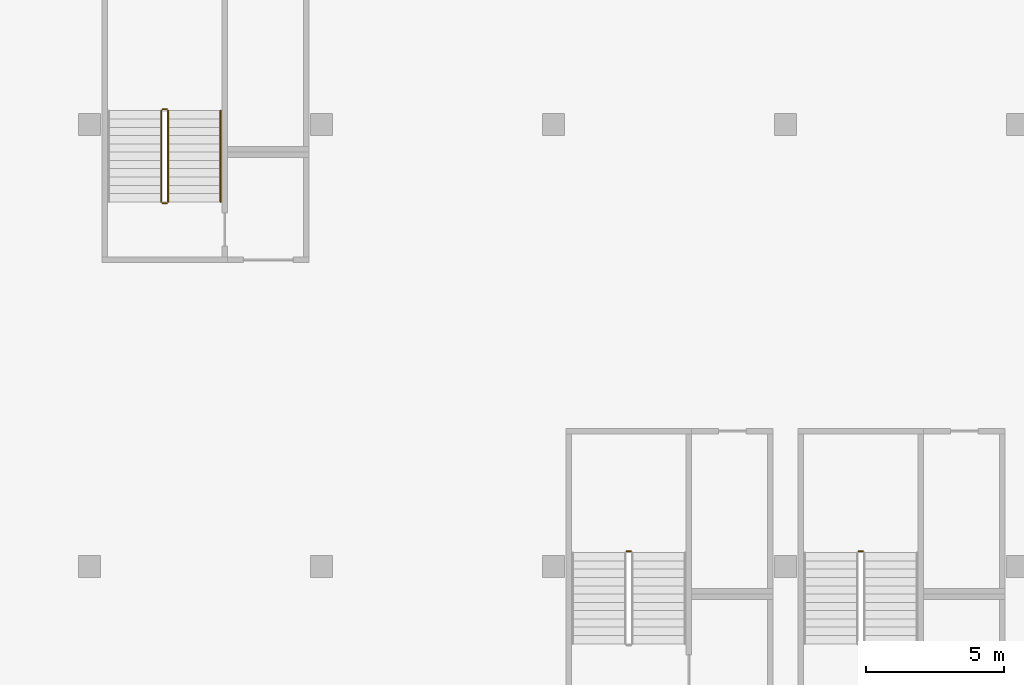
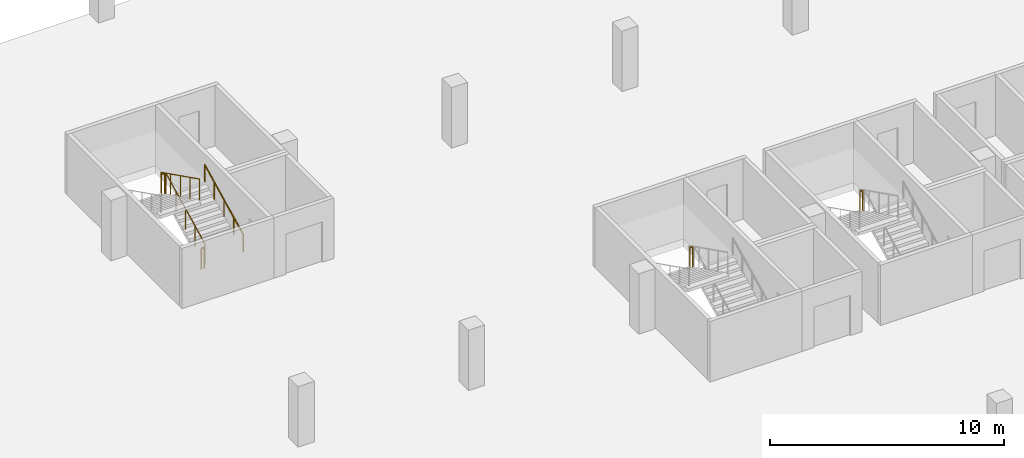
# One storey, part 35 of 37: 7 railings.
"""IFC4 building model written with IfcOpenShell, lengths in metres."""

from ifc_helpers import new_model, si_unit, direction, frame, origin, origin_2d, place, context, subcontext, project, spatial, circle, extrude, material, type_object, element, save


model = new_model("IFC4")

# Units and contexts
model_context = context("Model", 3, precision=1e-05, world=origin(), true_north=direction((0.0, 1.0)))
body_context = subcontext(model_context, "Body", "Model", "MODEL_VIEW")
ifc_project = project(units=[si_unit("LENGTHUNIT", "METRE"), si_unit("AREAUNIT", "SQUARE_METRE"), si_unit("VOLUMEUNIT", "CUBIC_METRE"), si_unit("PLANEANGLEUNIT", "RADIAN"), si_unit("MASSUNIT", "GRAM", prefix="KILO")], contexts=[model_context])

# Site, building, storey
site_placement = place(None, origin())
site = spatial("IfcSite", under=ifc_project, at=site_placement, CompositionType="ELEMENT")
building_placement = place(site_placement, origin())
building = spatial("IfcBuilding", under=site, at=building_placement, Name="Tamra Quay Hotel Tower", CompositionType="ELEMENT")
storey_placement = place(building_placement, frame((0.0, 0.0, -3.60009765625)))
storey = spatial("IfcBuildingStorey", under=building, at=storey_placement, Name="B1", CompositionType="ELEMENT", Elevation=-3.60009765625)

# Railings
ifc_material_1 = material(Name="Basement stair guard 1100")
railing_type_1 = type_object("IfcRailingType", Name="Basement stair guard 1100", PredefinedType="GUARDRAIL", material=ifc_material_1)
railing_1_placement = place(storey_placement, frame((-77.85009765625, 61.199951171875, 0.150146484375)))
element("IfcRailing", 1, at=railing_1_placement, inside=storey, type_object=railing_type_1, Name="BSG", PredefinedType="GUARDRAIL", context=body_context, shape_type="SweptSolid", body=[
    extrude(circle(Radius=0.02392578125, at=origin_2d()), frame((0.0, 0.0, 1.076171875), z_axis=(0.0, 0.894440424912, 0.447187126696), x_axis=(-1.0, 0.0, 0.0)), (0.0, 0.0, 1.0), 3.689453125),
    extrude(circle(Radius=0.02099609375, at=origin_2d()), origin(), (0.0, 0.0, 1.0), 1.052001953125),
    extrude(circle(Radius=0.02099609375, at=origin_2d()), frame((0.0, 0.824951171875, 0.41259765625)), (0.0, 0.0, 1.0), 1.052001953125),
    extrude(circle(Radius=0.02099609375, at=origin_2d()), frame((0.0, 1.64990234375, 0.824951171875)), (0.0, 0.0, 1.0), 1.052001953125),
    extrude(circle(Radius=0.02099609375, at=origin_2d()), frame((0.0, 2.47509765625, 1.2373046875)), (0.0, 0.0, 1.0), 1.052001953125),
    extrude(circle(Radius=0.02099609375, at=origin_2d()), frame((0.0, 3.300048828125, 1.64990234375)), (0.0, 0.0, 1.0), 1.052001953125),
])
railing_2_placement = place(storey_placement, frame((-77.89990234375, 64.550048828125, 1.800048828125)))
element("IfcRailing", 2, at=railing_2_placement, inside=storey, type_object=railing_type_1, Name="BSG", PredefinedType="GUARDRAIL", context=body_context, shape_type="SweptSolid", body=[
    extrude(circle(Radius=0.02392578125, at=origin_2d()), frame((0.0, 0.0, 1.076171875), z_axis=(-1.0, 0.0, 0.0), x_axis=(0.0, -1.0, 0.0)), (0.0, 0.0, 1.0), 0.150146484375),
    extrude(circle(Radius=0.02099609375, at=origin_2d()), origin(), (0.0, 0.0, 1.0), 1.052001953125),
    extrude(circle(Radius=0.02099609375, at=origin_2d()), frame((-0.150146484375, 0.0, 0.0)), (0.0, 0.0, 1.0), 1.052001953125),
])
railing_3_placement = place(storey_placement, frame((-78.10009765625, 64.5, 1.9501953125)))
element("IfcRailing", 3, at=railing_3_placement, inside=storey, type_object=railing_type_1, Name="BSG", PredefinedType="GUARDRAIL", context=body_context, shape_type="SweptSolid", body=[
    extrude(circle(Radius=0.02392578125, at=origin_2d()), frame((0.0, 0.0, 1.076171875), z_axis=(0.0, -0.894440424912, 0.447187126696), x_axis=(1.0, 0.0, 0.0)), (0.0, 0.0, 1.0), 3.689453125),
    extrude(circle(Radius=0.02099609375, at=origin_2d()), origin(), (0.0, 0.0, 1.0), 1.052001953125),
    extrude(circle(Radius=0.02099609375, at=origin_2d()), frame((0.0, -0.824951171875, 0.41259765625)), (0.0, 0.0, 1.0), 1.052001953125),
    extrude(circle(Radius=0.02099609375, at=origin_2d()), frame((0.0, -1.64990234375, 0.824951171875)), (0.0, 0.0, 1.0), 1.052001953125),
    extrude(circle(Radius=0.02099609375, at=origin_2d()), frame((0.0, -2.47509765625, 1.2373046875)), (0.0, 0.0, 1.0), 1.052001953125),
    extrude(circle(Radius=0.02099609375, at=origin_2d()), frame((0.0, -3.300048828125, 1.64990234375)), (0.0, 0.0, 1.0), 1.052001953125),
])
railing_4_placement = place(storey_placement, frame((-77.89990234375, 61.14990234375, 0.0)))
element("IfcRailing", 4, at=railing_4_placement, inside=storey, type_object=railing_type_1, Name="BSG", PredefinedType="GUARDRAIL", context=body_context, shape_type="SweptSolid", body=[
    extrude(circle(Radius=0.02392578125, at=origin_2d()), frame((0.0, 0.0, 1.076171875), z_axis=(-1.0, 0.0, 0.0), x_axis=(0.0, -1.0, 0.0)), (0.0, 0.0, 1.0), 0.150146484375),
    extrude(circle(Radius=0.02099609375, at=origin_2d()), origin(), (0.0, 0.0, 1.0), 1.052001953125),
    extrude(circle(Radius=0.02099609375, at=origin_2d()), frame((-0.150146484375, 0.0, 0.0)), (0.0, 0.0, 1.0), 1.052001953125),
])
railing_5_placement = place(storey_placement, frame((-61.10009765625, 48.550048828125, 1.800048828125)))
element("IfcRailing", 5, at=railing_5_placement, inside=storey, type_object=railing_type_1, Name="BSG", PredefinedType="GUARDRAIL", context=body_context, shape_type="SweptSolid", body=[
    extrude(circle(Radius=0.02392578125, at=origin_2d()), frame((0.0, 0.0, 1.076171875), z_axis=(-1.0, 0.0, 0.0), x_axis=(0.0, -1.0, 0.0)), (0.0, 0.0, 1.0), 0.14990234375),
    extrude(circle(Radius=0.02099609375, at=origin_2d()), origin(), (0.0, 0.0, 1.0), 1.052001953125),
    extrude(circle(Radius=0.02099609375, at=origin_2d()), frame((-0.14990234375, 0.0, 0.0)), (0.0, 0.0, 1.0), 1.052001953125),
])
railing_6_placement = place(storey_placement, frame((-52.699951171875, 48.550048828125, 1.800048828125)))
element("IfcRailing", 6, at=railing_6_placement, inside=storey, type_object=railing_type_1, Name="BSG", PredefinedType="GUARDRAIL", context=body_context, shape_type="SweptSolid", body=[
    extrude(circle(Radius=0.02392578125, at=origin_2d()), frame((0.0, 0.0, 1.076171875), z_axis=(-1.0, 0.0, 0.0), x_axis=(0.0, -1.0, 0.0)), (0.0, 0.0, 1.0), 0.150146484375),
    extrude(circle(Radius=0.02099609375, at=origin_2d()), origin(), (0.0, 0.0, 1.0), 1.052001953125),
    extrude(circle(Radius=0.02099609375, at=origin_2d()), frame((-0.150146484375, 0.0, 0.0)), (0.0, 0.0, 1.0), 1.052001953125),
])
ifc_material_2 = material(Name="Basement stair handrail 900")
railing_type_2 = type_object("IfcRailingType", Name="Basement stair handrail 900", PredefinedType="HANDRAIL", material=ifc_material_2)
railing_7_placement = place(storey_placement, frame((-75.949951171875, 61.199951171875, 0.150146484375)))
element("IfcRailing", 7, at=railing_7_placement, inside=storey, type_object=railing_type_2, Name="BSH", PredefinedType="HANDRAIL", context=body_context, shape_type="SweptSolid", body=[
    extrude(circle(Radius=0.02392578125, at=origin_2d()), frame((0.0, 0.0, 0.8759765625), z_axis=(0.0, 0.894440424912, 0.447187126696), x_axis=(-1.0, 0.0, 0.0)), (0.0, 0.0, 1.0), 3.689453125),
    extrude(circle(Radius=0.02099609375, at=origin_2d()), origin(), (0.0, 0.0, 1.0), 0.851806640625),
    extrude(circle(Radius=0.02099609375, at=origin_2d()), frame((0.0, 0.824951171875, 0.41259765625)), (0.0, 0.0, 1.0), 0.851806640625),
    extrude(circle(Radius=0.02099609375, at=origin_2d()), frame((0.0, 1.64990234375, 0.824951171875)), (0.0, 0.0, 1.0), 0.851806640625),
    extrude(circle(Radius=0.02099609375, at=origin_2d()), frame((0.0, 2.47509765625, 1.2373046875)), (0.0, 0.0, 1.0), 0.851806640625),
    extrude(circle(Radius=0.02099609375, at=origin_2d()), frame((0.0, 3.300048828125, 1.64990234375)), (0.0, 0.0, 1.0), 0.851806640625),
])

save(model, "model.ifc")
